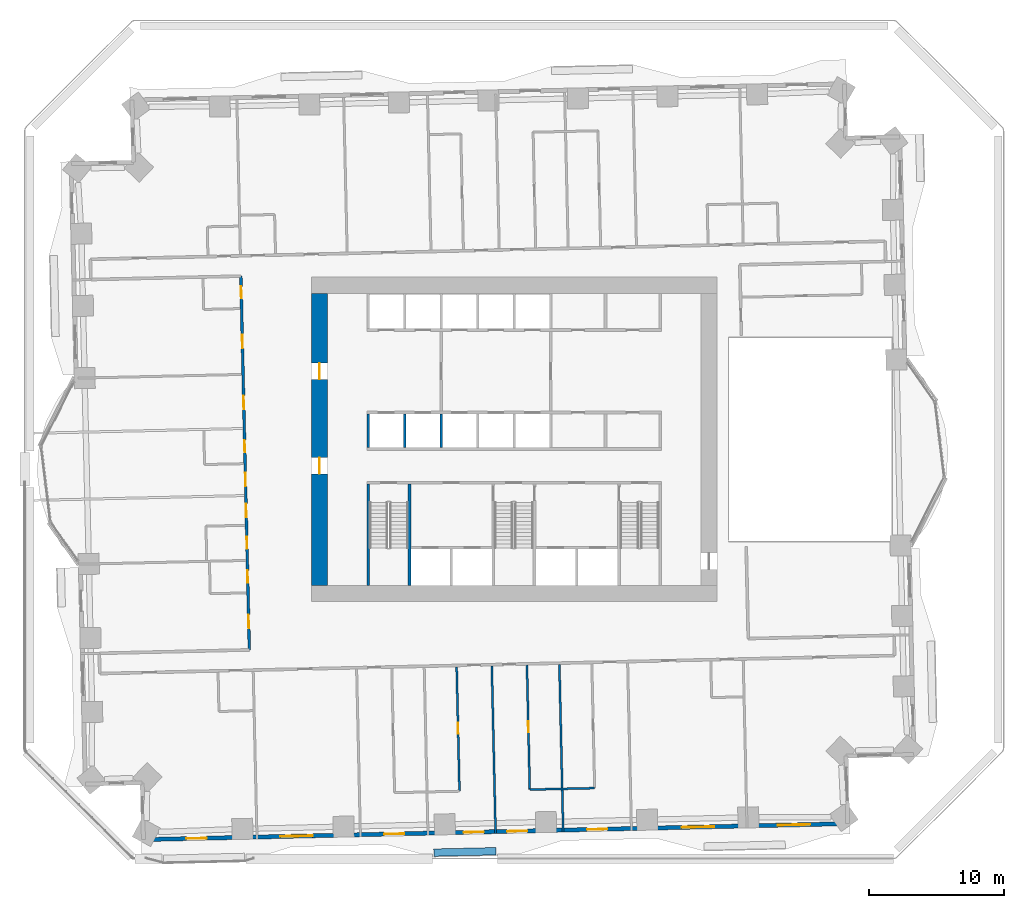
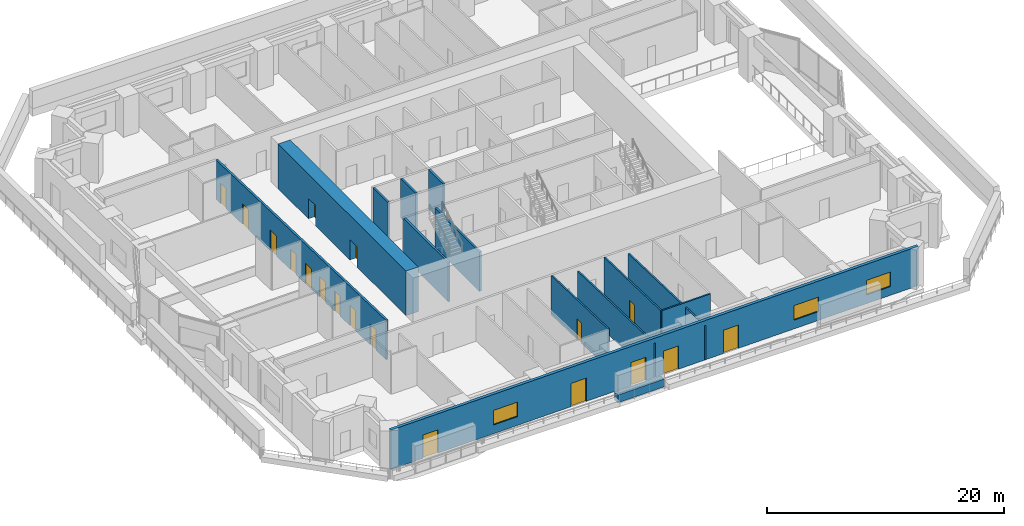
# One storey, part 11 of 21: 18 doors, 14 walls, 3 windows, 21 openings.
"""IFC4 building model written with IfcOpenShell, lengths in metres."""

from ifc_helpers import new_model, si_unit, direction, frame, frame_2d, origin, place, context, subcontext, project, spatial, rectangle, extrude, material, layer, layer_set, type_object, element, fill, save


model = new_model("IFC4")

# Units and contexts
model_context = context("Model", 3, precision=1e-05, world=origin(), true_north=direction((0.0, 1.0)))
body_context = subcontext(model_context, "Body", "Model", "MODEL_VIEW")
ifc_project = project(units=[si_unit("LENGTHUNIT", "METRE"), si_unit("AREAUNIT", "SQUARE_METRE"), si_unit("VOLUMEUNIT", "CUBIC_METRE"), si_unit("PLANEANGLEUNIT", "RADIAN"), si_unit("MASSUNIT", "GRAM", prefix="KILO")], contexts=[model_context])

# Site, building, storey
site_placement = place(None, origin())
site = spatial("IfcSite", under=ifc_project, at=site_placement, CompositionType="ELEMENT")
building_placement = place(site_placement, origin())
building = spatial("IfcBuilding", under=site, at=building_placement, Name="Mangrove Gate Tower", CompositionType="ELEMENT")
storey_placement = place(building_placement, frame((0.0, 0.0, 29.5)))
storey = spatial("IfcBuildingStorey", under=building, at=storey_placement, Name="L06", CompositionType="ELEMENT", Elevation=29.5)

# Walls
ifc_material_1 = material(Name="Concrete C70/85", Category="concrete")
ifc_layer_1 = layer(ifc_material_1, 0.199951171875)
ifc_layer_set_1 = layer_set([ifc_layer_1], Name="Core shaft wall 200 C70/85")
wall_type_1 = type_object("IfcWallType", Name="Core shaft wall 200 C70/85", PredefinedType="SHEAR", material=ifc_layer_set_1)
for number, where, z_axis, x_axis, name in (
    (1, (-10.800048828125, -0.60009765625, 0.0), (0.0, 0.0, 1.0), (0.0, 1.0, 0.0), "WALL-L06-CORE-19"),
    (2, (-8.10009765625, -0.60009765625, 0.0), (0.0, 0.0, 1.0), (0.0, 1.0, 0.0), "WALL-L06-CORE-20"),
    (3, (-5.39990234375, -0.60009765625, 0.0), (0.0, 0.0, 1.0), (0.0, 1.0, 0.0), "WALL-L06-CORE-21"),
):
    element("IfcWall", number, at=place(storey_placement, frame(where, z_axis=z_axis, x_axis=x_axis)), inside=storey, type_object=wall_type_1, Name=name, PredefinedType="SHEAR", context=body_context, shape_type="SweptSolid", body=[
        extrude(rectangle(XDim=2.5, YDim=0.199951171875, at=frame_2d((1.25, 0.0))), origin(), (0.0, 0.0, 1.0), 4.050048828125),
    ])
ifc_material_2 = material(Name="Concrete C70/85", Category="concrete")
ifc_layer_2 = layer(ifc_material_2, 0.199951171875)
ifc_layer_set_2 = layer_set([ifc_layer_2], Name="Core stair wall 200 C70/85")
wall_type_2 = type_object("IfcWallType", Name="Core stair wall 200 C70/85", PredefinedType="SHEAR", material=ifc_layer_set_2)
for number, where, z_axis, x_axis, name in (
    (4, (-10.800048828125, -10.800048828125, 0.0), (0.0, 0.0, 1.0), (0.0, 1.0, 0.0), "WALL-L06-CORE-9"),
    (5, (-7.75, -10.800048828125, 0.0), (0.0, 0.0, 1.0), (0.0, 1.0, 0.0), "WALL-L06-CORE-10"),
):
    element("IfcWall", number, at=place(storey_placement, frame(where, z_axis=z_axis, x_axis=x_axis)), inside=storey, type_object=wall_type_2, Name=name, PredefinedType="SHEAR", context=body_context, shape_type="SweptSolid", body=[
        extrude(rectangle(XDim=7.5, YDim=0.199951171875, at=frame_2d((3.75, 0.0))), origin(), (0.0, 0.0, 1.0), 4.050048828125),
    ])

# Wall, openings, doors
ifc_material_3 = material(Name="Concrete C70/85", Category="concrete")
ifc_layer_3 = layer(ifc_material_3, 1.199951171875)
ifc_layer_set_3 = layer_set([ifc_layer_3], Name="Core wall 1200 C70/85")
wall_type_3 = type_object("IfcWallType", Name="Core wall 1200 C70/85", PredefinedType="SHEAR", material=ifc_layer_set_3)
wall_1_placement = place(storey_placement, frame((-14.39990234375, -10.800048828125, 0.0), z_axis=(0.0, 0.0, 1.0), x_axis=(0.0, 1.0, 0.0)))
wall_1 = element("IfcWall", 6, at=wall_1_placement, inside=storey, type_object=wall_type_3, Name="WALL-L06-CORE-3", PredefinedType="SHEAR", context=body_context, shape_type="SweptSolid", body=[
    extrude(rectangle(XDim=21.60009765625, YDim=1.199951171875, at=frame_2d((10.800048828125, 0.0))), origin(), (0.0, 0.0, 1.0), 4.60009765625),
])
opening_1_placement = place(wall_1_placement, frame((8.25, 0.0, 0.0)))
opening_1 = element("IfcOpeningElement", 7, at=opening_1_placement, cuts=wall_1, Name="Opening CD", PredefinedType="OPENING", context=body_context, shape_type="SweptSolid", body=[
    extrude(rectangle(XDim=1.199951171875, YDim=2.10009765625, at=frame_2d((0.60009765625, 1.050048828125))), frame((0.0, 0.60986328125, 0.0), z_axis=(0.0, -1.0, 0.0), x_axis=(1.0, 0.0, 0.0)), (0.0, 0.0, 1.0), 1.219970703125),
])
opening_2_placement = place(wall_1_placement, frame((15.25, 0.0, 0.0)))
opening_2 = element("IfcOpeningElement", 8, at=opening_2_placement, cuts=wall_1, Name="Opening CD", PredefinedType="OPENING", context=body_context, shape_type="SweptSolid", body=[
    extrude(rectangle(XDim=1.199951171875, YDim=2.10009765625, at=frame_2d((0.60009765625, 1.050048828125))), frame((0.0, 0.60986328125, 0.0), z_axis=(0.0, -1.0, 0.0), x_axis=(1.0, 0.0, 0.0)), (0.0, 0.0, 1.0), 1.219970703125),
])
ifc_material_4 = material(Name="Fire-rated steel door set", Category="steel")
door_type_1 = type_object("IfcDoorType", Name="Core ring door FD60 1200x2100", OperationType="DOUBLE_DOOR_SINGLE_SWING", PredefinedType="DOOR", material=ifc_material_4)
door_1_placement = place(opening_1_placement, origin())
door_1 = element("IfcDoor", 9, at=door_1_placement, inside=storey, type_object=door_type_1, Name="Core ring door W1", OperationType="DOUBLE_DOOR_SINGLE_SWING", OverallHeight=2.10009765625, OverallWidth=1.199951171875, PredefinedType="DOOR", context=body_context, shape_type="SweptSolid", body=[
    extrude(rectangle(XDim=1.199951171875, YDim=2.10009765625, at=frame_2d((0.60009765625, 1.050048828125))), frame((0.0, 0.02490234375, 0.0), z_axis=(0.0, -1.0, 0.0), x_axis=(1.0, 0.0, 0.0)), (0.0, 0.0, 1.0), 0.050048828125),
])
fill(opening_1, door_1)
door_2_placement = place(opening_2_placement, origin())
door_2 = element("IfcDoor", 10, at=door_2_placement, inside=storey, type_object=door_type_1, Name="Core ring door W2", OperationType="DOUBLE_DOOR_SINGLE_SWING", OverallHeight=2.10009765625, OverallWidth=1.199951171875, PredefinedType="DOOR", context=body_context, shape_type="SweptSolid", body=[
    extrude(rectangle(XDim=1.199951171875, YDim=2.10009765625, at=frame_2d((0.60009765625, 1.050048828125))), frame((0.0, 0.02490234375, 0.0), z_axis=(0.0, -1.0, 0.0), x_axis=(1.0, 0.0, 0.0)), (0.0, 0.0, 1.0), 0.050048828125),
])
fill(opening_2, door_2)

ifc_material_5 = material(Name="Gypsum board on steel stud, EI 60", Category="steel")
ifc_layer_4 = layer(ifc_material_5, 0.199951171875)
ifc_layer_set_4 = layer_set([ifc_layer_4], Name="Corridor wall EI 60")
wall_type_4 = type_object("IfcWallType", Name="Corridor wall EI 60", PredefinedType="PARTITIONING", material=ifc_layer_set_4)
wall_2_placement = place(storey_placement, frame((-19.589111328125, -15.56201171875, 0.0), z_axis=(0.0, 0.0, 1.0), x_axis=(-0.02267447203, 0.999742901109, 0.0)))
wall_2 = element("IfcWall", 11, at=wall_2_placement, inside=storey, type_object=wall_type_4, Name="WALL-L06-023", PredefinedType="PARTITIONING", context=body_context, shape_type="SweptSolid", body=[
    extrude(rectangle(XDim=27.650146484375, YDim=0.199951171875, at=frame_2d((13.8251953125, 0.0))), origin(), (0.0, 0.0, 1.0), 4.050048828125),
])
opening_3_placement = place(wall_2_placement, frame((22.31298828125, 0.0, 0.0)))
opening_3 = element("IfcOpeningElement", 12, at=opening_3_placement, cuts=wall_2, Name="Opening AD", PredefinedType="OPENING", context=body_context, shape_type="SweptSolid", body=[
    extrude(rectangle(XDim=1.0, YDim=2.10009765625, at=frame_2d((0.5, 1.050048828125))), frame((0.0, 0.10986328125, 0.0), z_axis=(0.0, -1.0, 0.0), x_axis=(1.0, 0.0, 0.0)), (0.0, 0.0, 1.0), 0.219970703125),
])
opening_4_placement = place(wall_2_placement, frame((26.0, 0.0, 0.0)))
opening_4 = element("IfcOpeningElement", 13, at=opening_4_placement, cuts=wall_2, Name="Opening SD", PredefinedType="OPENING", context=body_context, shape_type="SweptSolid", body=[
    extrude(rectangle(XDim=0.89990234375, YDim=2.10009765625, at=frame_2d((0.449951171875, 1.050048828125))), frame((0.0, 0.10986328125, 0.0), z_axis=(0.0, -1.0, 0.0), x_axis=(1.0, 0.0, 0.0)), (0.0, 0.0, 1.0), 0.219970703125),
])
opening_5_placement = place(wall_2_placement, frame((17.81689453125, 0.0, 0.0)))
opening_5 = element("IfcOpeningElement", 14, at=opening_5_placement, cuts=wall_2, Name="Opening AD", PredefinedType="OPENING", context=body_context, shape_type="SweptSolid", body=[
    extrude(rectangle(XDim=1.0, YDim=2.10009765625, at=frame_2d((0.5, 1.050048828125))), frame((0.0, 0.10986328125, 0.0), z_axis=(0.0, -1.0, 0.0), x_axis=(1.0, 0.0, 0.0)), (0.0, 0.0, 1.0), 0.219970703125),
])
opening_6_placement = place(wall_2_placement, frame((12.10009765625, 0.0, 0.0)))
opening_6 = element("IfcOpeningElement", 15, at=opening_6_placement, cuts=wall_2, Name="Opening AD", PredefinedType="OPENING", context=body_context, shape_type="SweptSolid", body=[
    extrude(rectangle(XDim=1.0, YDim=2.10009765625, at=frame_2d((0.5, 1.050048828125))), frame((0.0, 0.10986328125, 0.0), z_axis=(0.0, -1.0, 0.0), x_axis=(1.0, 0.0, 0.0)), (0.0, 0.0, 1.0), 0.219970703125),
])
opening_7_placement = place(wall_2_placement, frame((14.625, 0.0, 0.0)))
opening_7 = element("IfcOpeningElement", 16, at=opening_7_placement, cuts=wall_2, Name="Opening SD", PredefinedType="OPENING", context=body_context, shape_type="SweptSolid", body=[
    extrude(rectangle(XDim=0.89990234375, YDim=2.10009765625, at=frame_2d((0.449951171875, 1.050048828125))), frame((0.0, 0.10986328125, 0.0), z_axis=(0.0, -1.0, 0.0), x_axis=(1.0, 0.0, 0.0)), (0.0, 0.0, 1.0), 0.219970703125),
])
opening_8_placement = place(wall_2_placement, frame((9.824951171875, 0.0, 0.0)))
opening_8 = element("IfcOpeningElement", 17, at=opening_8_placement, cuts=wall_2, Name="Opening AD", PredefinedType="OPENING", context=body_context, shape_type="SweptSolid", body=[
    extrude(rectangle(XDim=1.0, YDim=2.10009765625, at=frame_2d((0.5, 1.050048828125))), frame((0.0, 0.10986328125, 0.0), z_axis=(0.0, -1.0, 0.0), x_axis=(1.0, 0.0, 0.0)), (0.0, 0.0, 1.0), 0.219970703125),
])
opening_9_placement = place(wall_2_placement, frame((7.47509765625, 0.0, 0.0)))
opening_9 = element("IfcOpeningElement", 18, at=opening_9_placement, cuts=wall_2, Name="Opening SD", PredefinedType="OPENING", context=body_context, shape_type="SweptSolid", body=[
    extrude(rectangle(XDim=0.89990234375, YDim=2.10009765625, at=frame_2d((0.449951171875, 1.050048828125))), frame((0.0, 0.10986328125, 0.0), z_axis=(0.0, -1.0, 0.0), x_axis=(1.0, 0.0, 0.0)), (0.0, 0.0, 1.0), 0.219970703125),
])
opening_10_placement = place(wall_2_placement, frame((1.612060546875, 0.0, 0.0)))
opening_10 = element("IfcOpeningElement", 19, at=opening_10_placement, cuts=wall_2, Name="Opening AD", PredefinedType="OPENING", context=body_context, shape_type="SweptSolid", body=[
    extrude(rectangle(XDim=1.0, YDim=2.10009765625, at=frame_2d((0.5, 1.050048828125))), frame((0.0, 0.10986328125, 0.0), z_axis=(0.0, -1.0, 0.0), x_axis=(1.0, 0.0, 0.0)), (0.0, 0.0, 1.0), 0.219970703125),
])
opening_11_placement = place(wall_2_placement, frame((4.97509765625, 0.0, 0.0)))
opening_11 = element("IfcOpeningElement", 20, at=opening_11_placement, cuts=wall_2, Name="Opening SD", PredefinedType="OPENING", context=body_context, shape_type="SweptSolid", body=[
    extrude(rectangle(XDim=0.89990234375, YDim=2.10009765625, at=frame_2d((0.449951171875, 1.050048828125))), frame((0.0, 0.10986328125, 0.0), z_axis=(0.0, -1.0, 0.0), x_axis=(1.0, 0.0, 0.0)), (0.0, 0.0, 1.0), 0.219970703125),
])
ifc_material_6 = material(Name="Timber door leaf", Category="wood")
door_type_2 = type_object("IfcDoorType", Name="Amenity door 1000", OperationType="SINGLE_SWING_LEFT", PredefinedType="DOOR", material=ifc_material_6)
door_3_placement = place(opening_3_placement, origin())
door_3 = element("IfcDoor", 21, at=door_3_placement, inside=storey, type_object=door_type_2, Name="DOOR-L06-LNG-c5a", OperationType="SINGLE_SWING_LEFT", OverallHeight=2.10009765625, OverallWidth=1.0, PredefinedType="DOOR", context=body_context, shape_type="SweptSolid", body=[
    extrude(rectangle(XDim=1.0, YDim=2.10009765625, at=frame_2d((0.5, 1.050048828125))), frame((0.0, 0.02490234375, 0.0), z_axis=(0.0, -1.0, 0.0), x_axis=(1.0, 0.0, 0.0)), (0.0, 0.0, 1.0), 0.050048828125),
])
fill(opening_3, door_3)
door_4_placement = place(opening_5_placement, origin())
door_4 = element("IfcDoor", 22, at=door_4_placement, inside=storey, type_object=door_type_2, Name="DOOR-L06-KIT-c5b", OperationType="SINGLE_SWING_RIGHT", OverallHeight=2.10009765625, OverallWidth=1.0, PredefinedType="DOOR", context=body_context, shape_type="SweptSolid", body=[
    extrude(rectangle(XDim=1.0, YDim=2.10009765625, at=frame_2d((0.5, 1.050048828125))), frame((0.0, 0.02490234375, 0.0), z_axis=(0.0, -1.0, 0.0), x_axis=(1.0, 0.0, 0.0)), (0.0, 0.0, 1.0), 0.050048828125),
])
fill(opening_5, door_4)
door_5_placement = place(opening_6_placement, origin())
door_5 = element("IfcDoor", 23, at=door_5_placement, inside=storey, type_object=door_type_2, Name="DOOR-L06-KIT-c5c", OperationType="SINGLE_SWING_LEFT", OverallHeight=2.10009765625, OverallWidth=1.0, PredefinedType="DOOR", context=body_context, shape_type="SweptSolid", body=[
    extrude(rectangle(XDim=1.0, YDim=2.10009765625, at=frame_2d((0.5, 1.050048828125))), frame((0.0, 0.02490234375, 0.0), z_axis=(0.0, -1.0, 0.0), x_axis=(1.0, 0.0, 0.0)), (0.0, 0.0, 1.0), 0.050048828125),
])
fill(opening_6, door_5)
door_6_placement = place(opening_8_placement, origin())
door_6 = element("IfcDoor", 24, at=door_6_placement, inside=storey, type_object=door_type_2, Name="DOOR-L06-GAM-c5c", OperationType="SINGLE_SWING_RIGHT", OverallHeight=2.10009765625, OverallWidth=1.0, PredefinedType="DOOR", context=body_context, shape_type="SweptSolid", body=[
    extrude(rectangle(XDim=1.0, YDim=2.10009765625, at=frame_2d((0.5, 1.050048828125))), frame((0.0, 0.02490234375, 0.0), z_axis=(0.0, -1.0, 0.0), x_axis=(1.0, 0.0, 0.0)), (0.0, 0.0, 1.0), 0.050048828125),
])
fill(opening_8, door_6)
door_7_placement = place(opening_10_placement, origin())
door_7 = element("IfcDoor", 25, at=door_7_placement, inside=storey, type_object=door_type_2, Name="DOOR-L06-GAM-c5d", OperationType="SINGLE_SWING_LEFT", OverallHeight=2.10009765625, OverallWidth=1.0, PredefinedType="DOOR", context=body_context, shape_type="SweptSolid", body=[
    extrude(rectangle(XDim=1.0, YDim=2.10009765625, at=frame_2d((0.5, 1.050048828125))), frame((0.0, 0.02490234375, 0.0), z_axis=(0.0, -1.0, 0.0), x_axis=(1.0, 0.0, 0.0)), (0.0, 0.0, 1.0), 0.050048828125),
])
fill(opening_10, door_7)
ifc_material_7 = material(Name="Timber door leaf", Category="wood")
door_type_3 = type_object("IfcDoorType", Name="Service room door 900", OperationType="SINGLE_SWING_LEFT", PredefinedType="DOOR", material=ifc_material_7)
door_8_placement = place(opening_4_placement, origin())
door_8 = element("IfcDoor", 26, at=door_8_placement, inside=storey, type_object=door_type_3, Name="DOOR-L06-WC-c5a", OperationType="SINGLE_SWING_LEFT", OverallHeight=2.10009765625, OverallWidth=0.89990234375, PredefinedType="DOOR", context=body_context, shape_type="SweptSolid", body=[
    extrude(rectangle(XDim=0.89990234375, YDim=2.10009765625, at=frame_2d((0.449951171875, 1.050048828125))), frame((0.0, 0.02490234375, 0.0), z_axis=(0.0, -1.0, 0.0), x_axis=(1.0, 0.0, 0.0)), (0.0, 0.0, 1.0), 0.050048828125),
])
fill(opening_4, door_8)
door_9_placement = place(opening_7_placement, origin())
door_9 = element("IfcDoor", 27, at=door_9_placement, inside=storey, type_object=door_type_3, Name="DOOR-L06-AWC-c5b", OperationType="SINGLE_SWING_RIGHT", OverallHeight=2.10009765625, OverallWidth=0.89990234375, PredefinedType="DOOR", context=body_context, shape_type="SweptSolid", body=[
    extrude(rectangle(XDim=0.89990234375, YDim=2.10009765625, at=frame_2d((0.449951171875, 1.050048828125))), frame((0.0, 0.02490234375, 0.0), z_axis=(0.0, -1.0, 0.0), x_axis=(1.0, 0.0, 0.0)), (0.0, 0.0, 1.0), 0.050048828125),
])
fill(opening_7, door_9)
door_10_placement = place(opening_9_placement, origin())
door_10 = element("IfcDoor", 28, at=door_10_placement, inside=storey, type_object=door_type_3, Name="DOOR-L06-AWC-c5c", OperationType="SINGLE_SWING_LEFT", OverallHeight=2.10009765625, OverallWidth=0.89990234375, PredefinedType="DOOR", context=body_context, shape_type="SweptSolid", body=[
    extrude(rectangle(XDim=0.89990234375, YDim=2.10009765625, at=frame_2d((0.449951171875, 1.050048828125))), frame((0.0, 0.02490234375, 0.0), z_axis=(0.0, -1.0, 0.0), x_axis=(1.0, 0.0, 0.0)), (0.0, 0.0, 1.0), 0.050048828125),
])
fill(opening_9, door_10)
door_11_placement = place(opening_11_placement, origin())
door_11 = element("IfcDoor", 29, at=door_11_placement, inside=storey, type_object=door_type_3, Name="DOOR-L06-WC-c5b", OperationType="SINGLE_SWING_RIGHT", OverallHeight=2.10009765625, OverallWidth=0.89990234375, PredefinedType="DOOR", context=body_context, shape_type="SweptSolid", body=[
    extrude(rectangle(XDim=0.89990234375, YDim=2.10009765625, at=frame_2d((0.449951171875, 1.050048828125))), frame((0.0, 0.02490234375, 0.0), z_axis=(0.0, -1.0, 0.0), x_axis=(1.0, 0.0, 0.0)), (0.0, 0.0, 1.0), 0.050048828125),
])
fill(opening_11, door_11)

# Wall, openings, doors, windows
ifc_material_8 = material(Name="Limestone", Category="masonry")
ifc_layer_5 = layer(ifc_material_8, 0.0400390625, Name="Limestone cladding")
ifc_material_9 = material(Name="Ventilated air gap")
ifc_layer_6 = layer(ifc_material_9, 0.0400390625, Name="Ventilated cavity")
ifc_material_10 = material(Name="Mineral wool insulation")
ifc_layer_7 = layer(ifc_material_10, 0.06005859375, Name="Insulation")
ifc_material_11 = material(Name="Breather membrane")
ifc_layer_8 = layer(ifc_material_11, 0.001953125, Name="Breather membrane")
ifc_material_12 = material(Name="Concrete C20/25 blockwork", Category="masonry")
ifc_layer_9 = layer(ifc_material_12, 0.14990234375, Name="Blockwork backing wall")
ifc_material_13 = material(Name="Gypsum plaster")
ifc_layer_10 = layer(ifc_material_13, 0.008056640625, Name="Internal plaster")
ifc_layer_set_5 = layer_set([ifc_layer_5, ifc_layer_6, ifc_layer_7, ifc_layer_8, ifc_layer_9, ifc_layer_10], Name="External wall 300 limestone cladding")
wall_type_5 = type_object("IfcWallType", Name="External wall 300 limestone cladding", PredefinedType="SOLIDWALL", material=ifc_layer_set_5)
wall_3_placement = place(storey_placement, frame((-27.423095703125, -29.593017578125, 0.0), z_axis=(0.0, 0.0, 1.0), x_axis=(0.999742563204, 0.022689365739, 0.0)))
wall_3 = element("IfcWall", 30, at=wall_3_placement, inside=storey, type_object=wall_type_5, Name="WALL-L06-S13", PredefinedType="SOLIDWALL", context=body_context, shape_type="SweptSolid", body=[
    extrude(rectangle(XDim=52.1005859375, YDim=0.300048828125, at=frame_2d((26.05029296875, 0.0))), origin(), (0.0, 0.0, 1.0), 4.050048828125),
])
opening_12_placement = place(wall_3_placement, frame((3.173095703125, 0.0, 0.0)))
opening_12 = element("IfcOpeningElement", 31, at=opening_12_placement, cuts=wall_3, Name="Opening BD1", PredefinedType="OPENING", context=body_context, shape_type="SweptSolid", body=[
    extrude(rectangle(XDim=1.5, YDim=2.39990234375, at=frame_2d((0.75, 1.199951171875))), frame((0.0, 0.159912109375, 0.0), z_axis=(0.0, -1.0, 0.0), x_axis=(1.0, 0.0, 0.0)), (0.0, 0.0, 1.0), 0.320068359375),
])
opening_13_placement = place(wall_3_placement, frame((10.123046875, 0.0, 0.89990234375)))
opening_13 = element("IfcOpeningElement", 32, at=opening_13_placement, cuts=wall_3, Name="Opening W2", PredefinedType="OPENING", context=body_context, shape_type="SweptSolid", body=[
    extrude(rectangle(XDim=2.39990234375, YDim=1.5, at=frame_2d((1.199951171875, 0.75))), frame((0.0, 0.159912109375, 0.0), z_axis=(0.0, -1.0, 0.0), x_axis=(1.0, 0.0, 0.0)), (0.0, 0.0, 1.0), 0.320068359375),
])
opening_14_placement = place(wall_3_placement, frame((17.800048828125, 0.0, 0.0)))
opening_14 = element("IfcOpeningElement", 33, at=opening_14_placement, cuts=wall_3, Name="Opening BD1", PredefinedType="OPENING", context=body_context, shape_type="SweptSolid", body=[
    extrude(rectangle(XDim=1.5, YDim=2.39990234375, at=frame_2d((0.75, 1.199951171875))), frame((0.0, 0.159912109375, 0.0), z_axis=(0.0, -1.0, 0.0), x_axis=(1.0, 0.0, 0.0)), (0.0, 0.0, 1.0), 0.320068359375),
])
opening_15_placement = place(wall_3_placement, frame((23.69091796875, 0.0, 0.0)))
opening_15 = element("IfcOpeningElement", 34, at=opening_15_placement, cuts=wall_3, Name="Opening BD1", PredefinedType="OPENING", context=body_context, shape_type="SweptSolid", body=[
    extrude(rectangle(XDim=1.5, YDim=2.39990234375, at=frame_2d((0.75, 1.199951171875))), frame((0.0, 0.159912109375, 0.0), z_axis=(0.0, -1.0, 0.0), x_axis=(1.0, 0.0, 0.0)), (0.0, 0.0, 1.0), 0.320068359375),
])
opening_16_placement = place(wall_3_placement, frame((26.908935546875, 0.0, 0.0)))
opening_16 = element("IfcOpeningElement", 35, at=opening_16_placement, cuts=wall_3, Name="Opening BD1", PredefinedType="OPENING", context=body_context, shape_type="SweptSolid", body=[
    extrude(rectangle(XDim=1.5, YDim=2.39990234375, at=frame_2d((0.75, 1.199951171875))), frame((0.0, 0.159912109375, 0.0), z_axis=(0.0, -1.0, 0.0), x_axis=(1.0, 0.0, 0.0)), (0.0, 0.0, 1.0), 0.320068359375),
])
opening_17_placement = place(wall_3_placement, frame((32.824951171875, 0.0, 0.0)))
opening_17 = element("IfcOpeningElement", 36, at=opening_17_placement, cuts=wall_3, Name="Opening BD1", PredefinedType="OPENING", context=body_context, shape_type="SweptSolid", body=[
    extrude(rectangle(XDim=1.5, YDim=2.39990234375, at=frame_2d((0.75, 1.199951171875))), frame((0.0, 0.159912109375, 0.0), z_axis=(0.0, -1.0, 0.0), x_axis=(1.0, 0.0, 0.0)), (0.0, 0.0, 1.0), 0.320068359375),
])
opening_18_placement = place(wall_3_placement, frame((39.821044921875, 0.0, 0.89990234375)))
opening_18 = element("IfcOpeningElement", 37, at=opening_18_placement, cuts=wall_3, Name="Opening W2", PredefinedType="OPENING", context=body_context, shape_type="SweptSolid", body=[
    extrude(rectangle(XDim=2.39990234375, YDim=1.5, at=frame_2d((1.199951171875, 0.75))), frame((0.0, 0.159912109375, 0.0), z_axis=(0.0, -1.0, 0.0), x_axis=(1.0, 0.0, 0.0)), (0.0, 0.0, 1.0), 0.320068359375),
])
opening_19_placement = place(wall_3_placement, frame((46.94189453125, 0.0, 0.89990234375)))
opening_19 = element("IfcOpeningElement", 38, at=opening_19_placement, cuts=wall_3, Name="Opening W2", PredefinedType="OPENING", context=body_context, shape_type="SweptSolid", body=[
    extrude(rectangle(XDim=2.39990234375, YDim=1.5, at=frame_2d((1.199951171875, 0.75))), frame((0.0, 0.159912109375, 0.0), z_axis=(0.0, -1.0, 0.0), x_axis=(1.0, 0.0, 0.0)), (0.0, 0.0, 1.0), 0.320068359375),
])
ifc_material_14 = material(Name="Aluminium frame with laminated clear glass", Category="aluminium")
door_type_4 = type_object("IfcDoorType", Name="Balcony sliding door 1500x2400", OperationType="SLIDING_TO_LEFT", PredefinedType="DOOR", material=ifc_material_14)
door_12_placement = place(opening_12_placement, origin())
door_12 = element("IfcDoor", 39, at=door_12_placement, inside=storey, type_object=door_type_4, Name="DOOR-L06-S13-1", OperationType="SLIDING_TO_LEFT", OverallHeight=2.39990234375, OverallWidth=1.5, PredefinedType="DOOR", context=body_context, shape_type="SweptSolid", body=[
    extrude(rectangle(XDim=1.5, YDim=2.39990234375, at=frame_2d((0.75, 1.199951171875))), frame((0.0, 0.02490234375, 0.0), z_axis=(0.0, -1.0, 0.0), x_axis=(1.0, 0.0, 0.0)), (0.0, 0.0, 1.0), 0.050048828125),
])
fill(opening_12, door_12)
door_13_placement = place(opening_14_placement, origin())
door_13 = element("IfcDoor", 40, at=door_13_placement, inside=storey, type_object=door_type_4, Name="DOOR-L06-S13-3", OperationType="SLIDING_TO_LEFT", OverallHeight=2.39990234375, OverallWidth=1.5, PredefinedType="DOOR", context=body_context, shape_type="SweptSolid", body=[
    extrude(rectangle(XDim=1.5, YDim=2.39990234375, at=frame_2d((0.75, 1.199951171875))), frame((0.0, 0.02490234375, 0.0), z_axis=(0.0, -1.0, 0.0), x_axis=(1.0, 0.0, 0.0)), (0.0, 0.0, 1.0), 0.050048828125),
])
fill(opening_14, door_13)
door_14_placement = place(opening_15_placement, origin())
door_14 = element("IfcDoor", 41, at=door_14_placement, inside=storey, type_object=door_type_4, Name="DOOR-L06-S13-4", OperationType="SLIDING_TO_LEFT", OverallHeight=2.39990234375, OverallWidth=1.5, PredefinedType="DOOR", context=body_context, shape_type="SweptSolid", body=[
    extrude(rectangle(XDim=1.5, YDim=2.39990234375, at=frame_2d((0.75, 1.199951171875))), frame((0.0, 0.02490234375, 0.0), z_axis=(0.0, -1.0, 0.0), x_axis=(1.0, 0.0, 0.0)), (0.0, 0.0, 1.0), 0.050048828125),
])
fill(opening_15, door_14)
door_15_placement = place(opening_16_placement, origin())
door_15 = element("IfcDoor", 42, at=door_15_placement, inside=storey, type_object=door_type_4, Name="DOOR-L06-S13-5", OperationType="SLIDING_TO_LEFT", OverallHeight=2.39990234375, OverallWidth=1.5, PredefinedType="DOOR", context=body_context, shape_type="SweptSolid", body=[
    extrude(rectangle(XDim=1.5, YDim=2.39990234375, at=frame_2d((0.75, 1.199951171875))), frame((0.0, 0.02490234375, 0.0), z_axis=(0.0, -1.0, 0.0), x_axis=(1.0, 0.0, 0.0)), (0.0, 0.0, 1.0), 0.050048828125),
])
fill(opening_16, door_15)
door_16_placement = place(opening_17_placement, origin())
door_16 = element("IfcDoor", 43, at=door_16_placement, inside=storey, type_object=door_type_4, Name="DOOR-L06-S13-6", OperationType="SLIDING_TO_LEFT", OverallHeight=2.39990234375, OverallWidth=1.5, PredefinedType="DOOR", context=body_context, shape_type="SweptSolid", body=[
    extrude(rectangle(XDim=1.5, YDim=2.39990234375, at=frame_2d((0.75, 1.199951171875))), frame((0.0, 0.02490234375, 0.0), z_axis=(0.0, -1.0, 0.0), x_axis=(1.0, 0.0, 0.0)), (0.0, 0.0, 1.0), 0.050048828125),
])
fill(opening_17, door_16)
ifc_material_15 = material(Name="Aluminium frame with double-glazed low-e glass", Category="aluminium")
window_type = type_object("IfcWindowType", Name="Corner room window 2400x1500", PartitioningType="DOUBLE_PANEL_VERTICAL", PredefinedType="WINDOW", material=ifc_material_15)
window_1_placement = place(opening_13_placement, origin())
window_1 = element("IfcWindow", 44, at=window_1_placement, inside=storey, type_object=window_type, Name="WIN-L06-S13-2", OverallHeight=1.5, OverallWidth=2.39990234375, PartitioningType="DOUBLE_PANEL_VERTICAL", PredefinedType="WINDOW", context=body_context, shape_type="SweptSolid", body=[
    extrude(rectangle(XDim=2.39990234375, YDim=1.5, at=frame_2d((1.199951171875, 0.75))), frame((0.0, 0.030029296875, 0.0), z_axis=(0.0, -1.0, 0.0), x_axis=(1.0, 0.0, 0.0)), (0.0, 0.0, 1.0), 0.06005859375),
])
fill(opening_13, window_1)
window_2_placement = place(opening_18_placement, origin())
window_2 = element("IfcWindow", 45, at=window_2_placement, inside=storey, type_object=window_type, Name="WIN-L06-S13-7", OverallHeight=1.5, OverallWidth=2.39990234375, PartitioningType="DOUBLE_PANEL_VERTICAL", PredefinedType="WINDOW", context=body_context, shape_type="SweptSolid", body=[
    extrude(rectangle(XDim=2.39990234375, YDim=1.5, at=frame_2d((1.199951171875, 0.75))), frame((0.0, 0.030029296875, 0.0), z_axis=(0.0, -1.0, 0.0), x_axis=(1.0, 0.0, 0.0)), (0.0, 0.0, 1.0), 0.06005859375),
])
fill(opening_18, window_2)
window_3_placement = place(opening_19_placement, origin())
window_3 = element("IfcWindow", 46, at=window_3_placement, inside=storey, type_object=window_type, Name="WIN-L06-S13-8", OverallHeight=1.5, OverallWidth=2.39990234375, PartitioningType="DOUBLE_PANEL_VERTICAL", PredefinedType="WINDOW", context=body_context, shape_type="SweptSolid", body=[
    extrude(rectangle(XDim=2.39990234375, YDim=1.5, at=frame_2d((1.199951171875, 0.75))), frame((0.0, 0.030029296875, 0.0), z_axis=(0.0, -1.0, 0.0), x_axis=(1.0, 0.0, 0.0)), (0.0, 0.0, 1.0), 0.06005859375),
])
fill(opening_19, window_3)

# Walls
ifc_material_16 = material(Name="Gypsum board on steel stud, EI 60", Category="steel")
ifc_layer_11 = layer(ifc_material_16, 0.14990234375)
ifc_layer_set_6 = layer_set([ifc_layer_11], Name="Party wall 150 EI 60")
wall_type_6 = type_object("IfcWallType", Name="Party wall 150 EI 60", PredefinedType="PARTITIONING", material=ifc_layer_set_6)
wall_4_placement = place(storey_placement, frame((-1.3759765625, -29.152099609375, 0.0), z_axis=(0.0, 0.0, 1.0), x_axis=(-0.022661029756, 0.999743205894, 0.0)))
element("IfcWall", 47, at=wall_4_placement, inside=storey, type_object=wall_type_6, Name="WALL-L06-004", PredefinedType="PARTITIONING", context=body_context, shape_type="SweptSolid", body=[
    extrude(rectangle(XDim=12.400390625, YDim=0.14990234375, at=frame_2d((6.2001953125, 0.0))), origin(), (0.0, 0.0, 1.0), 3.550048828125),
])
wall_5_placement = place(storey_placement, frame((3.623046875, -29.0390625, 0.0), z_axis=(0.0, 0.0, 1.0), x_axis=(-0.022740189192, 0.999741408463, 0.0)))
element("IfcWall", 48, at=wall_5_placement, inside=storey, type_object=wall_type_6, Name="WALL-L06-005", PredefinedType="PARTITIONING", context=body_context, shape_type="SweptSolid", body=[
    extrude(rectangle(XDim=12.400146484375, YDim=0.14990234375, at=frame_2d((6.2001953125, 0.0))), origin(), (0.0, 0.0, 1.0), 3.550048828125),
])

# Wall, opening, door
wall_6_placement = place(storey_placement, frame((-4.048095703125, -26.011962890625, 0.0), z_axis=(0.0, 0.0, 1.0), x_axis=(-0.02271477479, 0.999741986218, 0.0)))
wall_6 = element("IfcWall", 49, at=wall_6_placement, inside=storey, type_object=wall_type_6, Name="WALL-L06-010", PredefinedType="PARTITIONING", context=body_context, shape_type="SweptSolid", body=[
    extrude(rectangle(XDim=9.200439453125, YDim=0.14990234375, at=frame_2d((4.60009765625, 0.0))), origin(), (0.0, 0.0, 1.0), 4.050048828125),
])
opening_20_placement = place(wall_6_placement, frame((4.25, 0.0, 0.0)))
opening_20 = element("IfcOpeningElement", 50, at=opening_20_placement, cuts=wall_6, Name="Opening ED", PredefinedType="OPENING", context=body_context, shape_type="SweptSolid", body=[
    extrude(rectangle(XDim=0.800048828125, YDim=2.10009765625, at=frame_2d((0.39990234375, 1.050048828125))), frame((0.0, 0.0849609375, 0.0), z_axis=(0.0, -1.0, 0.0), x_axis=(1.0, 0.0, 0.0)), (0.0, 0.0, 1.0), 0.169921875),
])
ifc_material_17 = material(Name="Timber door leaf", Category="wood")
door_type_5 = type_object("IfcDoorType", Name="En-suite door 800", OperationType="SINGLE_SWING_LEFT", PredefinedType="DOOR", material=ifc_material_17)
door_17_placement = place(opening_20_placement, origin())
door_17 = element("IfcDoor", 51, at=door_17_placement, inside=storey, type_object=door_type_5, Name="DOOR-L06-ENS-c102", OperationType="SINGLE_SWING_RIGHT", OverallHeight=2.10009765625, OverallWidth=0.800048828125, PredefinedType="DOOR", context=body_context, shape_type="SweptSolid", body=[
    extrude(rectangle(XDim=0.800048828125, YDim=2.10009765625, at=frame_2d((0.39990234375, 1.050048828125))), frame((0.0, 0.02490234375, 0.0), z_axis=(0.0, -1.0, 0.0), x_axis=(1.0, 0.0, 0.0)), (0.0, 0.0, 1.0), 0.050048828125),
])
fill(opening_20, door_17)

# Wall
wall_7_placement = place(storey_placement, frame((1.15087890625, -25.89404296875, 0.0), z_axis=(0.0, 0.0, 1.0), x_axis=(0.99974154664, 0.022734113616, 0.0)))
element("IfcWall", 52, at=wall_7_placement, inside=storey, type_object=wall_type_6, Name="WALL-L06-011", PredefinedType="PARTITIONING", context=body_context, shape_type="SweptSolid", body=[
    extrude(rectangle(XDim=4.80029296875, YDim=0.14990234375, at=frame_2d((2.400146484375, 0.0))), origin(), (0.0, 0.0, 1.0), 4.050048828125),
])

# Wall, opening, door
wall_8_placement = place(storey_placement, frame((1.15087890625, -25.89404296875, 0.0), z_axis=(0.0, 0.0, 1.0), x_axis=(-0.02271477479, 0.999741986218, 0.0)))
wall_8 = element("IfcWall", 53, at=wall_8_placement, inside=storey, type_object=wall_type_6, Name="WALL-L06-012", PredefinedType="PARTITIONING", context=body_context, shape_type="SweptSolid", body=[
    extrude(rectangle(XDim=9.200439453125, YDim=0.14990234375, at=frame_2d((4.60009765625, 0.0))), origin(), (0.0, 0.0, 1.0), 4.050048828125),
])
opening_21_placement = place(wall_8_placement, frame((4.25, 0.0, 0.0)))
opening_21 = element("IfcOpeningElement", 54, at=opening_21_placement, cuts=wall_8, Name="Opening ED", PredefinedType="OPENING", context=body_context, shape_type="SweptSolid", body=[
    extrude(rectangle(XDim=0.800048828125, YDim=2.10009765625, at=frame_2d((0.39990234375, 1.050048828125))), frame((0.0, 0.0849609375, 0.0), z_axis=(0.0, -1.0, 0.0), x_axis=(1.0, 0.0, 0.0)), (0.0, 0.0, 1.0), 0.169921875),
])
door_18_placement = place(opening_21_placement, origin())
door_18 = element("IfcDoor", 55, at=door_18_placement, inside=storey, type_object=door_type_5, Name="DOOR-L06-ENS-c203", OperationType="SINGLE_SWING_LEFT", OverallHeight=2.10009765625, OverallWidth=0.800048828125, PredefinedType="DOOR", context=body_context, shape_type="SweptSolid", body=[
    extrude(rectangle(XDim=0.800048828125, YDim=2.10009765625, at=frame_2d((0.39990234375, 1.050048828125))), frame((0.0, 0.02490234375, 0.0), z_axis=(0.0, -1.0, 0.0), x_axis=(1.0, 0.0, 0.0)), (0.0, 0.0, 1.0), 0.050048828125),
])
fill(opening_21, door_18)

# Wall
ifc_material_18 = material(Name="Concrete C32/40", Category="concrete")
ifc_layer_12 = layer(ifc_material_18, 0.199951171875, Name="Planter trough wall")
ifc_material_19 = material(Name="Bituminous waterproofing membrane")
ifc_layer_13 = layer(ifc_material_19, 0.0048828125, Name="Waterproofing")
ifc_material_20 = material(Name="Drainage board and gravel")
ifc_layer_14 = layer(ifc_material_20, 0.044921875, Name="Drainage layer")
ifc_material_21 = material(Name="Planting soil")
ifc_layer_15 = layer(ifc_material_21, 0.300048828125, Name="Growing medium")
ifc_layer_set_7 = layer_set([ifc_layer_12, ifc_layer_13, ifc_layer_14, ifc_layer_15], Name="Planter wall 550 C32/40")
wall_type_7 = type_object("IfcWallType", Name="Planter wall 550 C32/40", PredefinedType="USERDEFINED", material=ifc_layer_set_7)
wall_9_placement = place(storey_placement, frame((-5.946044921875, -30.555908203125, 0.0), z_axis=(0.0, 0.0, 1.0), x_axis=(0.999739584003, 0.022820258049, 0.0)))
element("IfcWall", 56, at=wall_9_placement, inside=storey, type_object=wall_type_7, Name="PLANTER L06 S0.2", ObjectType="PLANTER", PredefinedType="USERDEFINED", context=body_context, shape_type="SweptSolid", body=[
    extrude(rectangle(XDim=4.600341796875, YDim=0.550048828125, at=frame_2d((2.30029296875, 0.0))), origin(), (0.0, 0.0, 1.0), 0.800048828125),
])

save(model, "model.ifc")
